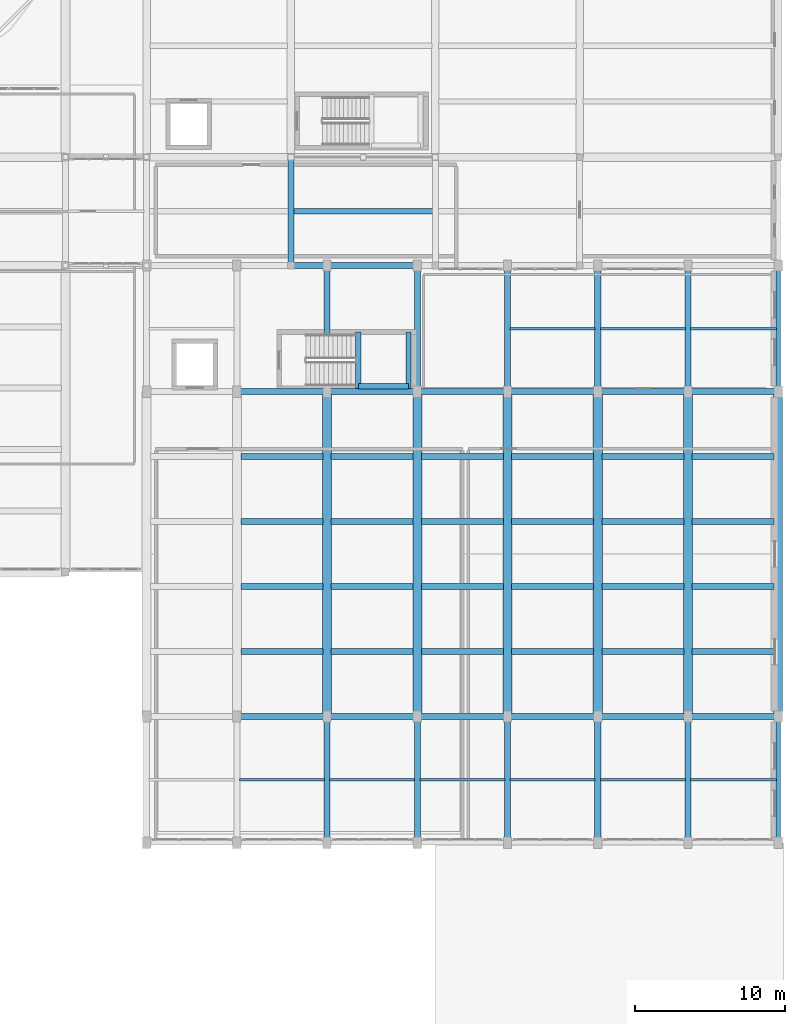
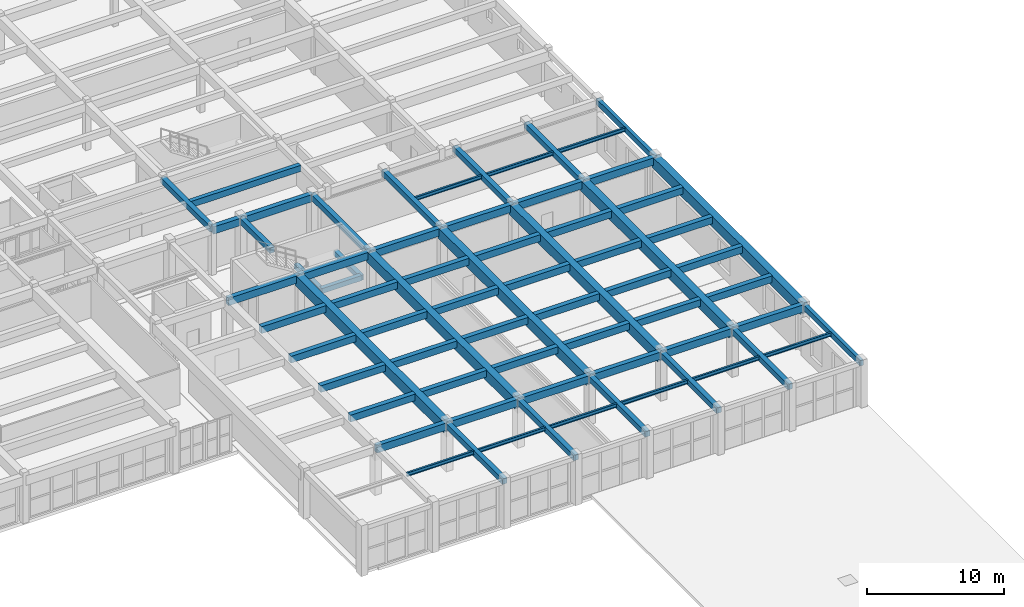
# One storey, part 47 of 92: 70 beams.
"""IFC4 building model written with IfcOpenShell, lengths in metres."""

from ifc_helpers import new_model, si_unit, direction, frame, origin, origin_2d, place, context, subcontext, project, spatial, rectangle, i_section, extrude, material, material_profile, profile_set, type_object, element, save


model = new_model("IFC4")

# Units and contexts
model_context = context("Model", 3, precision=1e-05, world=origin(), true_north=direction((0.0, 1.0)))
body_context = subcontext(model_context, "Body", "Model", "MODEL_VIEW")
ifc_project = project(units=[si_unit("LENGTHUNIT", "METRE"), si_unit("AREAUNIT", "SQUARE_METRE"), si_unit("VOLUMEUNIT", "CUBIC_METRE"), si_unit("PLANEANGLEUNIT", "RADIAN"), si_unit("MASSUNIT", "GRAM", prefix="KILO")], contexts=[model_context])

# Site, building, storey
site_placement = place(None, origin())
site = spatial("IfcSite", under=ifc_project, at=site_placement, CompositionType="ELEMENT")
building_placement = place(site_placement, origin())
building = spatial("IfcBuilding", under=site, at=building_placement, Name="Tarnavel Promenade Courthouse", CompositionType="ELEMENT")
storey_placement = place(building_placement, frame((0.0, 0.0, 5.39990234375)))
storey = spatial("IfcBuildingStorey", under=building, at=storey_placement, Name="L02", CompositionType="ELEMENT", Elevation=5.39990234375)

# Beams
ifc_material_1 = material(Name="Concrete C40/50", Category="concrete")
ifc_material_profile_1 = material_profile(ifc_material_1, rectangle(XDim=0.35009765625, YDim=0.550048828125, at=origin_2d()), Name="PT 350x550")
ifc_profile_set_1 = profile_set([ifc_material_profile_1], Name="Concrete C40/50")
beam_type_1 = type_object("IfcBeamType", Name="Concrete C40/50 BM-PT-350x550 (PT 350x550)", PredefinedType="JOIST", material=ifc_profile_set_1)
beam_1_placement = place(storey_placement, frame((129.77001953125, 70.800048828125, 3.960205078125), z_axis=(1.0, 0.0, 0.0), x_axis=(0.0, 1.0, 0.0)))
element("IfcBeam", 1, at=beam_1_placement, inside=storey, type_object=beam_type_1, Name="L02 Secondary Floor Rib 1404", PredefinedType="JOIST", context=body_context, shape_type="SweptSolid", body=[
    extrude(rectangle(XDim=0.35009765625, YDim=0.550048828125, at=origin_2d()), origin(), (0.0, 0.0, 1.0), 9.260009765625),
])
ifc_material_profile_2 = material_profile(ifc_material_1, rectangle(XDim=0.39990234375, YDim=0.60009765625, at=origin_2d()), Name="PT 400x600")
ifc_profile_set_2 = profile_set([ifc_material_profile_2], Name="Concrete C40/50")
beam_type_2 = type_object("IfcBeamType", Name="Concrete C40/50 BM-PT-400x600 (PT 400x600)", PredefinedType="JOIST", material=ifc_profile_set_2)
for number, where, z_axis, x_axis, name in (
    (2, (126.27001953125, 41.52001953125, 3.93505859375), (1.0, 0.0, 0.0), (0.0, 1.0, 0.0), "L02 Secondary Floor Rib 1483"),
    (3, (126.27001953125, 45.840087890625, 3.93505859375), (1.0, 0.0, 0.0), (0.0, 1.0, 0.0), "L02 Secondary Floor Rib 1484"),
    (4, (126.27001953125, 50.159912109375, 3.93505859375), (1.0, 0.0, 0.0), (0.0, 1.0, 0.0), "L02 Secondary Floor Rib 1485"),
    (5, (126.27001953125, 54.47998046875, 3.93505859375), (1.0, 0.0, 0.0), (0.0, 1.0, 0.0), "L02 Secondary Floor Rib 1486"),
    (6, (132.27001953125, 41.52001953125, 3.93505859375), (1.0, 0.0, 0.0), (0.0, 1.0, 0.0), "L02 Secondary Floor Rib 1487"),
    (7, (132.27001953125, 45.840087890625, 3.93505859375), (1.0, 0.0, 0.0), (0.0, 1.0, 0.0), "L02 Secondary Floor Rib 1488"),
    (8, (132.27001953125, 50.159912109375, 3.93505859375), (1.0, 0.0, 0.0), (0.0, 1.0, 0.0), "L02 Secondary Floor Rib 1489"),
    (9, (132.27001953125, 54.47998046875, 3.93505859375), (1.0, 0.0, 0.0), (0.0, 1.0, 0.0), "L02 Secondary Floor Rib 1490"),
    (10, (138.27001953125, 41.52001953125, 3.93505859375), (1.0, 0.0, 0.0), (0.0, 1.0, 0.0), "L02 Secondary Floor Rib 1491"),
    (11, (138.27001953125, 45.840087890625, 3.93505859375), (1.0, 0.0, 0.0), (0.0, 1.0, 0.0), "L02 Secondary Floor Rib 1492"),
    (12, (138.27001953125, 50.159912109375, 3.93505859375), (1.0, 0.0, 0.0), (0.0, 1.0, 0.0), "L02 Secondary Floor Rib 1493"),
    (13, (138.27001953125, 54.47998046875, 3.93505859375), (1.0, 0.0, 0.0), (0.0, 1.0, 0.0), "L02 Secondary Floor Rib 1494"),
    (14, (144.27001953125, 41.52001953125, 3.93505859375), (1.0, 0.0, 0.0), (0.0, 1.0, 0.0), "L02 Secondary Floor Rib 1495"),
    (15, (144.27001953125, 45.840087890625, 3.93505859375), (1.0, 0.0, 0.0), (0.0, 1.0, 0.0), "L02 Secondary Floor Rib 1496"),
    (16, (144.27001953125, 50.159912109375, 3.93505859375), (1.0, 0.0, 0.0), (0.0, 1.0, 0.0), "L02 Secondary Floor Rib 1497"),
    (17, (144.27001953125, 54.47998046875, 3.93505859375), (1.0, 0.0, 0.0), (0.0, 1.0, 0.0), "L02 Secondary Floor Rib 1498"),
    (18, (150.27001953125, 41.52001953125, 3.93505859375), (1.0, 0.0, 0.0), (0.0, 1.0, 0.0), "L02 Secondary Floor Rib 1499"),
    (19, (150.27001953125, 45.840087890625, 3.93505859375), (1.0, 0.0, 0.0), (0.0, 1.0, 0.0), "L02 Secondary Floor Rib 1500"),
    (20, (150.27001953125, 50.159912109375, 3.93505859375), (1.0, 0.0, 0.0), (0.0, 1.0, 0.0), "L02 Secondary Floor Rib 1501"),
    (21, (150.27001953125, 54.47998046875, 3.93505859375), (1.0, 0.0, 0.0), (0.0, 1.0, 0.0), "L02 Secondary Floor Rib 1502"),
    (22, (156.27001953125, 41.52001953125, 3.93505859375), (1.0, 0.0, 0.0), (0.0, 1.0, 0.0), "L02 Secondary Floor Rib 1503"),
    (23, (156.27001953125, 45.840087890625, 3.93505859375), (1.0, 0.0, 0.0), (0.0, 1.0, 0.0), "L02 Secondary Floor Rib 1504"),
    (24, (156.27001953125, 50.159912109375, 3.93505859375), (1.0, 0.0, 0.0), (0.0, 1.0, 0.0), "L02 Secondary Floor Rib 1505"),
    (25, (156.27001953125, 54.47998046875, 3.93505859375), (1.0, 0.0, 0.0), (0.0, 1.0, 0.0), "L02 Secondary Floor Rib 1506"),
):
    element("IfcBeam", number, at=place(storey_placement, frame(where, z_axis=z_axis, x_axis=x_axis)), inside=storey, type_object=beam_type_2, Name=name, PredefinedType="JOIST", context=body_context, shape_type="SweptSolid", body=[
        extrude(rectangle(XDim=0.39990234375, YDim=0.60009765625, at=origin_2d()), origin(), (0.0, 0.0, 1.0), 5.4599609375),
    ])
ifc_material_profile_3 = material_profile(ifc_material_1, rectangle(XDim=0.60009765625, YDim=0.949951171875, at=origin_2d()), Name="PT 600x950")
ifc_profile_set_3 = profile_set([ifc_material_profile_3], Name="Concrete C40/50")
beam_type_3 = type_object("IfcBeamType", Name="Concrete C40/50 BM-PT-600x950 (PT 600x950)", PredefinedType="T_BEAM", material=ifc_profile_set_3)
for number, where, z_axis, x_axis, name in (
    (26, (132.0, 37.199951171875, 3.760009765625), (0.0, 1.0, 0.0), (-1.0, 0.0, 0.0), "L02 Transverse Girder 1332"),
    (27, (138.0, 37.199951171875, 3.760009765625), (0.0, 1.0, 0.0), (-1.0, 0.0, 0.0), "L02 Transverse Girder 1335"),
    (28, (144.0, 37.199951171875, 3.760009765625), (0.0, 1.0, 0.0), (-1.0, 0.0, 0.0), "L02 Transverse Girder 1343"),
    (29, (150.0, 37.199951171875, 3.760009765625), (0.0, 1.0, 0.0), (-1.0, 0.0, 0.0), "L02 Transverse Girder 1351"),
    (30, (156.0, 37.199951171875, 3.760009765625), (0.0, 1.0, 0.0), (-1.0, 0.0, 0.0), "L02 Transverse Girder 1354"),
    (31, (162.0, 37.199951171875, 3.760009765625), (0.0, 1.0, 0.0), (-1.0, 0.0, 0.0), "L02 Transverse Girder 1357"),
):
    element("IfcBeam", number, at=place(storey_placement, frame(where, z_axis=z_axis, x_axis=x_axis)), inside=storey, type_object=beam_type_3, Name=name, PredefinedType="T_BEAM", context=body_context, shape_type="SweptSolid", body=[
        extrude(rectangle(XDim=0.60009765625, YDim=0.949951171875, at=origin_2d()), origin(), (0.0, 0.0, 1.0), 21.60009765625),
    ])
ifc_material_profile_4 = material_profile(ifc_material_1, rectangle(XDim=0.35009765625, YDim=0.449951171875, at=origin_2d()), Name="RC 350x450")
ifc_profile_set_4 = profile_set([ifc_material_profile_4], Name="Concrete C40/50")
beam_type_4 = type_object("IfcBeamType", Name="Concrete C40/50 BM-RC-350x450 (RC 350x450)", PredefinedType="BEAM", material=ifc_profile_set_4)
for number, where, z_axis, x_axis, name in (
    (32, (134.080078125, 59.02001953125, 1.820068359375), (0.0, 1.0, 0.0), (-1.0, 0.0, 0.0), "L02 ST-08 Mid-Landing Support Beam Near"),
    (33, (137.419921875, 59.02001953125, 1.820068359375), (0.0, 1.0, 0.0), (-1.0, 0.0, 0.0), "L02 ST-08 Mid-Landing Support Beam Far"),
):
    element("IfcBeam", number, at=place(storey_placement, frame(where, z_axis=z_axis, x_axis=x_axis)), inside=storey, type_object=beam_type_4, Name=name, PredefinedType="BEAM", context=body_context, shape_type="SweptSolid", body=[
        extrude(rectangle(XDim=0.35009765625, YDim=0.449951171875, at=origin_2d()), origin(), (0.0, 0.0, 1.0), 3.760009765625),
    ])
beam_2_placement = place(storey_placement, frame((134.080078125, 59.169921875, 1.820068359375), z_axis=(1.0, 0.0, 0.0), x_axis=(0.0, 1.0, 0.0)))
element("IfcBeam", 34, at=beam_2_placement, inside=storey, type_object=beam_type_4, Name="L02 ST-08 Mid-Landing Edge Trimmer", PredefinedType="BEAM", context=body_context, shape_type="SweptSolid", body=[
    extrude(rectangle(XDim=0.35009765625, YDim=0.449951171875, at=origin_2d()), origin(), (0.0, 0.0, 1.0), 3.33984375),
])
ifc_material_profile_5 = material_profile(ifc_material_1, rectangle(XDim=0.39990234375, YDim=0.5, at=origin_2d()), Name="RC 400x500")
ifc_profile_set_5 = profile_set([ifc_material_profile_5], Name="Concrete C40/50")
beam_type_5 = type_object("IfcBeamType", Name="Concrete C40/50 BM-RC-400x500 (RC 400x500)", PredefinedType="BEAM", material=ifc_profile_set_5)
beam_3_placement = place(storey_placement, frame((129.60009765625, 67.199951171875, 3.985107421875), z_axis=(0.0, 1.0, 0.0), x_axis=(-1.0, 0.0, 0.0)))
element("IfcBeam", 35, at=beam_3_placement, inside=storey, type_object=beam_type_5, Name="L02 Transverse Girder 1326", PredefinedType="BEAM", context=body_context, shape_type="SweptSolid", body=[
    extrude(rectangle(XDim=0.39990234375, YDim=0.5, at=origin_2d()), origin(), (0.0, 0.0, 1.0), 7.199951171875),
])
beam_4_placement = place(storey_placement, frame((132.0, 28.800048828125, 3.985107421875), z_axis=(0.0, 1.0, 0.0), x_axis=(-1.0, 0.0, 0.0)))
element("IfcBeam", 36, at=beam_4_placement, inside=storey, type_object=beam_type_5, Name="L02 Transverse Girder 1331", PredefinedType="BEAM", context=body_context, shape_type="SweptSolid", body=[
    extrude(rectangle(XDim=0.39990234375, YDim=0.5, at=origin_2d()), origin(), (0.0, 0.0, 1.0), 8.39990234375),
])
beam_5_placement = place(storey_placement, frame((132.0, 62.64990234375, 3.985107421875), z_axis=(0.0, 1.0, 0.0), x_axis=(-1.0, 0.0, 0.0)))
element("IfcBeam", 37, at=beam_5_placement, inside=storey, type_object=beam_type_5, Name="L02 Transverse Girder 1333", PredefinedType="BEAM", context=body_context, shape_type="SweptSolid", body=[
    extrude(rectangle(XDim=0.39990234375, YDim=0.5, at=origin_2d()), origin(), (0.0, 0.0, 1.0), 4.550048828125),
])
for number, where, z_axis, x_axis, name in (
    (38, (138.0, 28.800048828125, 3.985107421875), (0.0, 1.0, 0.0), (-1.0, 0.0, 0.0), "L02 Transverse Girder 1334"),
    (39, (138.0, 58.800048828125, 3.985107421875), (0.0, 1.0, 0.0), (-1.0, 0.0, 0.0), "L02 Transverse Girder 1336"),
    (40, (144.0, 28.800048828125, 3.985107421875), (0.0, 1.0, 0.0), (-1.0, 0.0, 0.0), "L02 Transverse Girder 1342"),
    (41, (144.0, 58.800048828125, 3.985107421875), (0.0, 1.0, 0.0), (-1.0, 0.0, 0.0), "L02 Transverse Girder 1344"),
    (42, (150.0, 28.800048828125, 3.985107421875), (0.0, 1.0, 0.0), (-1.0, 0.0, 0.0), "L02 Transverse Girder 1350"),
    (43, (150.0, 58.800048828125, 3.985107421875), (0.0, 1.0, 0.0), (-1.0, 0.0, 0.0), "L02 Transverse Girder 1352"),
    (44, (156.0, 28.800048828125, 3.985107421875), (0.0, 1.0, 0.0), (-1.0, 0.0, 0.0), "L02 Transverse Girder 1353"),
    (45, (156.0, 58.800048828125, 3.985107421875), (0.0, 1.0, 0.0), (-1.0, 0.0, 0.0), "L02 Transverse Girder 1355"),
):
    element("IfcBeam", number, at=place(storey_placement, frame(where, z_axis=z_axis, x_axis=x_axis)), inside=storey, type_object=beam_type_5, Name=name, PredefinedType="BEAM", context=body_context, shape_type="SweptSolid", body=[
        extrude(rectangle(XDim=0.39990234375, YDim=0.5, at=origin_2d()), origin(), (0.0, 0.0, 1.0), 8.39990234375),
    ])
ifc_material_profile_6 = material_profile(ifc_material_1, rectangle(XDim=0.39990234375, YDim=0.64990234375, at=origin_2d()), Name="RC 400x650")
ifc_profile_set_6 = profile_set([ifc_material_profile_6], Name="Concrete C40/50")
beam_type_6 = type_object("IfcBeamType", Name="Concrete C40/50 BM-RC-400x650 (RC 400x650)", PredefinedType="BEAM", material=ifc_profile_set_6)
for number, where, z_axis, x_axis, name in (
    (46, (126.0, 37.199951171875, 3.91015625), (1.0, 0.0, 0.0), (0.0, 1.0, 0.0), "L02 Primary Longitudinal Beam 1100"),
    (47, (132.0, 37.199951171875, 3.91015625), (1.0, 0.0, 0.0), (0.0, 1.0, 0.0), "L02 Primary Longitudinal Beam 1101"),
    (48, (138.0, 37.199951171875, 3.91015625), (1.0, 0.0, 0.0), (0.0, 1.0, 0.0), "L02 Primary Longitudinal Beam 1102"),
    (49, (144.0, 37.199951171875, 3.91015625), (1.0, 0.0, 0.0), (0.0, 1.0, 0.0), "L02 Primary Longitudinal Beam 1103"),
    (50, (150.0, 37.199951171875, 3.91015625), (1.0, 0.0, 0.0), (0.0, 1.0, 0.0), "L02 Primary Longitudinal Beam 1104"),
    (51, (156.0, 37.199951171875, 3.91015625), (1.0, 0.0, 0.0), (0.0, 1.0, 0.0), "L02 Primary Longitudinal Beam 1105"),
    (52, (126.0, 58.800048828125, 3.91015625), (1.0, 0.0, 0.0), (0.0, 1.0, 0.0), "L02 Primary Longitudinal Beam 1121"),
    (53, (132.0, 58.800048828125, 3.91015625), (1.0, 0.0, 0.0), (0.0, 1.0, 0.0), "L02 Primary Longitudinal Beam 1122"),
    (54, (138.0, 58.800048828125, 3.91015625), (1.0, 0.0, 0.0), (0.0, 1.0, 0.0), "L02 Primary Longitudinal Beam 1123"),
    (55, (144.0, 58.800048828125, 3.91015625), (1.0, 0.0, 0.0), (0.0, 1.0, 0.0), "L02 Primary Longitudinal Beam 1124"),
    (56, (150.0, 58.800048828125, 3.91015625), (1.0, 0.0, 0.0), (0.0, 1.0, 0.0), "L02 Primary Longitudinal Beam 1125"),
    (57, (156.0, 58.800048828125, 3.91015625), (1.0, 0.0, 0.0), (0.0, 1.0, 0.0), "L02 Primary Longitudinal Beam 1126"),
):
    element("IfcBeam", number, at=place(storey_placement, frame(where, z_axis=z_axis, x_axis=x_axis)), inside=storey, type_object=beam_type_6, Name=name, PredefinedType="BEAM", context=body_context, shape_type="SweptSolid", body=[
        extrude(rectangle(XDim=0.39990234375, YDim=0.64990234375, at=origin_2d()), origin(), (0.0, 0.0, 1.0), 6.0),
    ])
beam_6_placement = place(storey_placement, frame((129.60009765625, 67.199951171875, 3.91015625), z_axis=(1.0, 0.0, 0.0), x_axis=(0.0, 1.0, 0.0)))
element("IfcBeam", 58, at=beam_6_placement, inside=storey, type_object=beam_type_6, Name="L02 Primary Longitudinal Beam 1142", PredefinedType="BEAM", context=body_context, shape_type="SweptSolid", body=[
    extrude(rectangle(XDim=0.39990234375, YDim=0.64990234375, at=origin_2d()), origin(), (0.0, 0.0, 1.0), 2.39990234375),
])
beam_7_placement = place(storey_placement, frame((132.0, 67.199951171875, 3.91015625), z_axis=(1.0, 0.0, 0.0), x_axis=(0.0, 1.0, 0.0)))
element("IfcBeam", 59, at=beam_7_placement, inside=storey, type_object=beam_type_6, Name="L02 Primary Longitudinal Beam 1143", PredefinedType="BEAM", context=body_context, shape_type="SweptSolid", body=[
    extrude(rectangle(XDim=0.39990234375, YDim=0.64990234375, at=origin_2d()), origin(), (0.0, 0.0, 1.0), 6.0),
])
ifc_material_profile_7 = material_profile(ifc_material_1, rectangle(XDim=0.300048828125, YDim=0.5, at=origin_2d()), Name="RC 300x500")
ifc_profile_set_7 = profile_set([ifc_material_profile_7], Name="Concrete C40/50")
beam_type_7 = type_object("IfcBeamType", Name="Concrete C40/50 BM-SP-300x500 (RC 300x500)", PredefinedType="SPANDREL", material=ifc_profile_set_7)
for number, where, z_axis, x_axis, name in (
    (60, (162.0, 28.800048828125, 3.985107421875), (0.0, 1.0, 0.0), (-1.0, 0.0, 0.0), "L02 Transverse Girder 1356"),
    (61, (162.0, 58.800048828125, 3.985107421875), (0.0, 1.0, 0.0), (-1.0, 0.0, 0.0), "L02 Transverse Girder 1358"),
):
    element("IfcBeam", number, at=place(storey_placement, frame(where, z_axis=z_axis, x_axis=x_axis)), inside=storey, type_object=beam_type_7, Name=name, PredefinedType="SPANDREL", context=body_context, shape_type="SweptSolid", body=[
        extrude(rectangle(XDim=0.300048828125, YDim=0.5, at=origin_2d()), origin(), (0.0, 0.0, 1.0), 8.39990234375),
    ])
ifc_material_2 = material(Name="Steel S355J2", Category="steel")
ifc_material_profile_8 = material_profile(ifc_material_2, i_section(OverallWidth=0.159912109375, OverallDepth=0.330078125, WebThickness=0.007568359375, FlangeThickness=0.011474609375, FilletRadius=0.01806640625, at=origin_2d()), Name="IPE 330")
ifc_profile_set_8 = profile_set([ifc_material_profile_8], Name="Steel S355J2")
beam_type_8 = type_object("IfcBeamType", Name="Steel S355J2 BM-ST-IPE330 (IPE 330)", PredefinedType="JOIST", material=ifc_profile_set_8)
for number, where, z_axis, x_axis, name in (
    (62, (126.169921875, 33.0, 4.070068359375), (1.0, 0.0, 0.0), (0.0, 1.0, 0.0), "L02 Secondary Floor Rib 1368"),
    (63, (132.169921875, 33.0, 4.070068359375), (1.0, 0.0, 0.0), (0.0, 1.0, 0.0), "L02 Secondary Floor Rib 1369"),
    (64, (138.169921875, 33.0, 4.070068359375), (1.0, 0.0, 0.0), (0.0, 1.0, 0.0), "L02 Secondary Floor Rib 1370"),
    (65, (144.169921875, 33.0, 4.070068359375), (1.0, 0.0, 0.0), (0.0, 1.0, 0.0), "L02 Secondary Floor Rib 1371"),
    (66, (150.169921875, 33.0, 4.070068359375), (1.0, 0.0, 0.0), (0.0, 1.0, 0.0), "L02 Secondary Floor Rib 1372"),
):
    element("IfcBeam", number, at=place(storey_placement, frame(where, z_axis=z_axis, x_axis=x_axis)), inside=storey, type_object=beam_type_8, Name=name, PredefinedType="JOIST", context=body_context, shape_type="SweptSolid", body=[
        extrude(i_section(OverallWidth=0.159912109375, OverallDepth=0.330078125, WebThickness=0.007568359375, FlangeThickness=0.011474609375, FilletRadius=0.01806640625, at=origin_2d()), origin(), (0.0, 0.0, 1.0), 5.66015625),
    ])
beam_8_placement = place(storey_placement, frame((156.169921875, 33.0, 4.070068359375), z_axis=(1.0, 0.0, 0.0), x_axis=(0.0, 1.0, 0.0)))
element("IfcBeam", 67, at=beam_8_placement, inside=storey, type_object=beam_type_8, Name="L02 Secondary Floor Rib 1373", PredefinedType="JOIST", context=body_context, shape_type="SweptSolid", body=[
    extrude(i_section(OverallWidth=0.159912109375, OverallDepth=0.330078125, WebThickness=0.007568359375, FlangeThickness=0.011474609375, FilletRadius=0.01806640625, at=origin_2d()), origin(), (0.0, 0.0, 1.0), 5.7099609375),
])
for number, where, z_axis, x_axis, name in (
    (68, (144.169921875, 63.0, 4.070068359375), (1.0, 0.0, 0.0), (0.0, 1.0, 0.0), "L02 Secondary Floor Rib 1508"),
    (69, (150.169921875, 63.0, 4.070068359375), (1.0, 0.0, 0.0), (0.0, 1.0, 0.0), "L02 Secondary Floor Rib 1509"),
):
    element("IfcBeam", number, at=place(storey_placement, frame(where, z_axis=z_axis, x_axis=x_axis)), inside=storey, type_object=beam_type_8, Name=name, PredefinedType="JOIST", context=body_context, shape_type="SweptSolid", body=[
        extrude(i_section(OverallWidth=0.159912109375, OverallDepth=0.330078125, WebThickness=0.007568359375, FlangeThickness=0.011474609375, FilletRadius=0.01806640625, at=origin_2d()), origin(), (0.0, 0.0, 1.0), 5.66015625),
    ])
beam_9_placement = place(storey_placement, frame((156.169921875, 63.0, 4.070068359375), z_axis=(1.0, 0.0, 0.0), x_axis=(0.0, 1.0, 0.0)))
element("IfcBeam", 70, at=beam_9_placement, inside=storey, type_object=beam_type_8, Name="L02 Secondary Floor Rib 1510", PredefinedType="JOIST", context=body_context, shape_type="SweptSolid", body=[
    extrude(i_section(OverallWidth=0.159912109375, OverallDepth=0.330078125, WebThickness=0.007568359375, FlangeThickness=0.011474609375, FilletRadius=0.01806640625, at=origin_2d()), origin(), (0.0, 0.0, 1.0), 5.7099609375),
])

save(model, "model.ifc")
